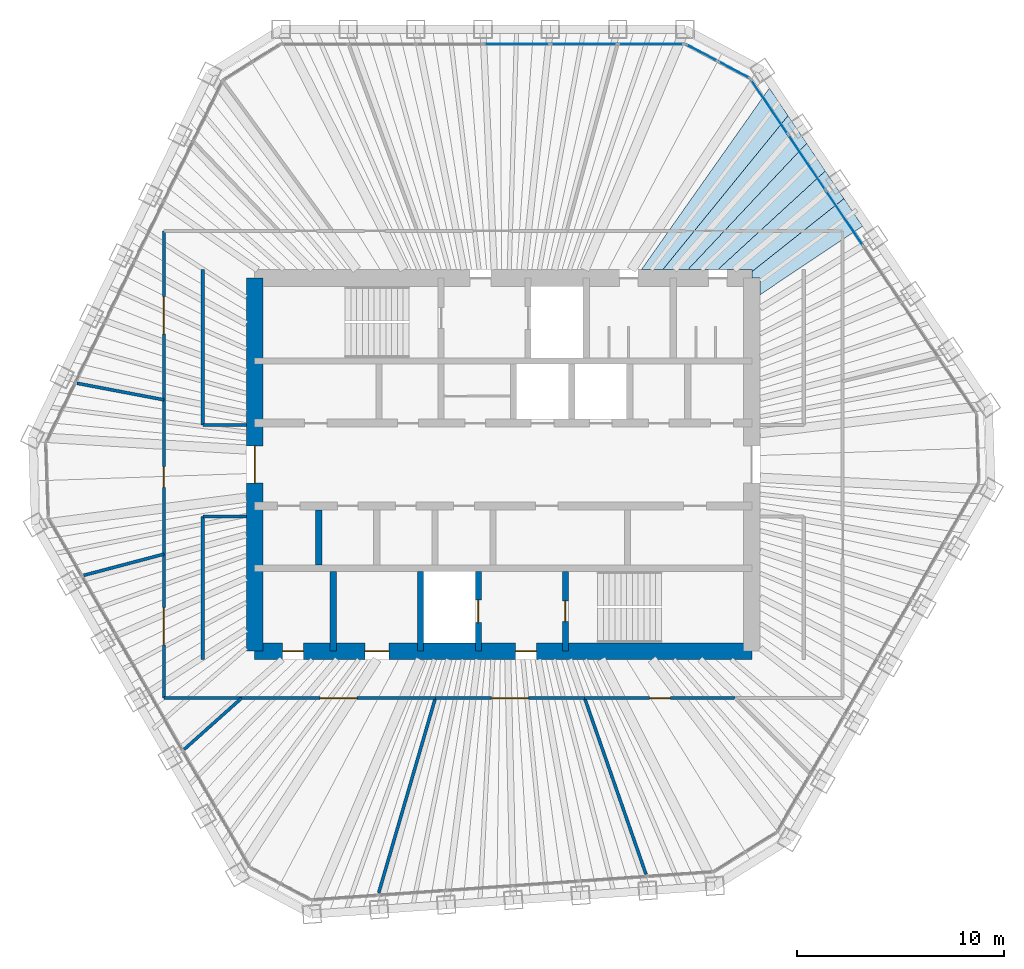
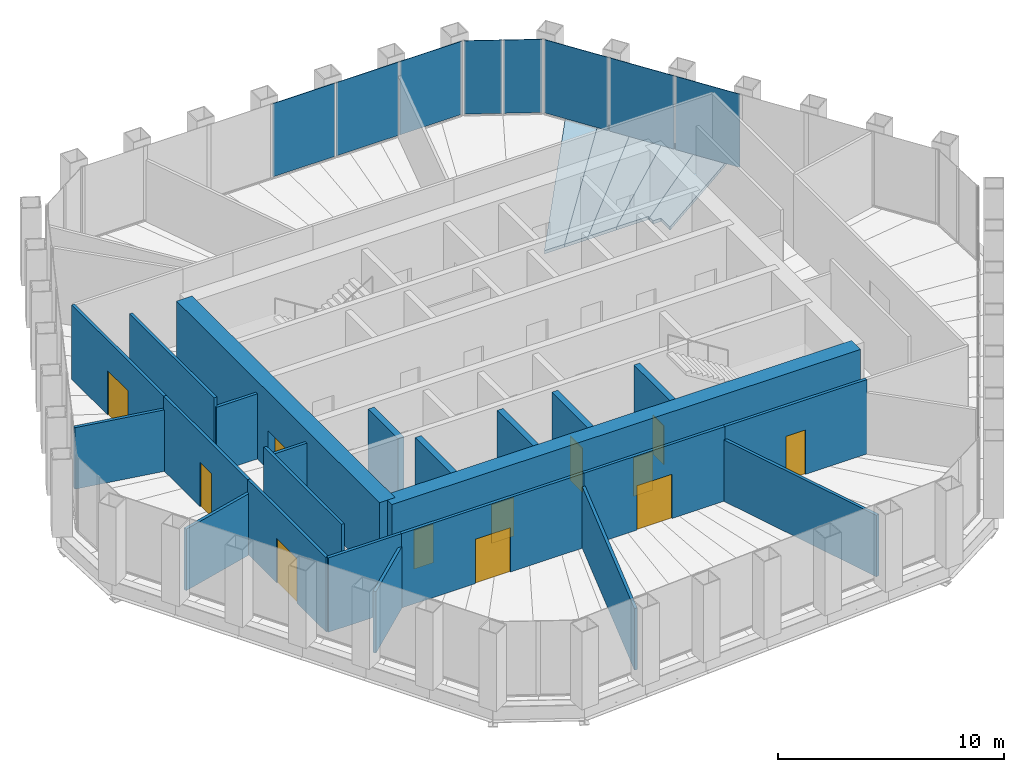
# One storey, part 11 of 14: 23 walls, 12 doors, 8 plates, 5 slabs, 12 openings, 3 elements without a shape of their own.
"""IFC4 building model written with IfcOpenShell, lengths in metres."""

from ifc_helpers import new_model, si_unit, direction, frame, frame_2d, origin, origin_2d, place, context, subcontext, project, spatial, polyline, rectangle, outline, extrude, material, layer, layer_set, type_object, element, fill, aggregate, save


model = new_model("IFC4")

# Units and contexts
model_context = context("Model", 3, precision=1e-05, world=origin(), true_north=direction((0.0, 1.0)))
body_context = subcontext(model_context, "Body", "Model", "MODEL_VIEW")
ifc_project = project(units=[si_unit("LENGTHUNIT", "METRE"), si_unit("AREAUNIT", "SQUARE_METRE"), si_unit("VOLUMEUNIT", "CUBIC_METRE"), si_unit("PLANEANGLEUNIT", "RADIAN"), si_unit("MASSUNIT", "GRAM", prefix="KILO")], contexts=[model_context])

# Site, building, storey
site_placement = place(None, origin())
site = spatial("IfcSite", under=ifc_project, at=site_placement, CompositionType="ELEMENT")
building_placement = place(site_placement, origin())
building = spatial("IfcBuilding", under=site, at=building_placement, Name="Qingtian Harvest Tower", CompositionType="ELEMENT")
storey_placement = place(building_placement, frame((0.0, 0.0, 320.800048828125)))
storey = spatial("IfcBuildingStorey", under=building, at=storey_placement, Name="L71", CompositionType="ELEMENT", Elevation=320.800048828125)

# Slabs
ifc_material_1 = material(Name="Concrete fc' 35 MPa", Category="concrete")
ifc_layer_1 = layer(ifc_material_1, 0.169921875)
ifc_layer_set_1 = layer_set([ifc_layer_1], Name="Composite floor slab FS17 170")
slab_type = type_object("IfcSlabType", Name="Composite floor slab FS17 170", PredefinedType="FLOOR", material=ifc_layer_set_1)
slab_1_placement = place(storey_placement, frame((0.0, 0.0, -0.170166015625)))
element("IfcSlab", 1, at=slab_1_placement, inside=storey, type_object=slab_type, Name="Floor slab L71 panel D47", PredefinedType="FLOOR", context=body_context, shape_type="SweptSolid", body=[
    extrude(outline(polyline([(12.39990234375, 9.0), (12.0, 9.0), (12.0, 9.30908203125), (16.44140625, 12.830078125), (17.340576171875, 11.4970703125), (12.39990234375, 8.199462890625), (12.39990234375, 9.0)])), origin(), (0.0, 0.0, 1.0), 0.170166015625),
])
slab_2_placement = place(storey_placement, frame((0.0, 0.0, -0.170166015625)))
element("IfcSlab", 2, at=slab_2_placement, inside=storey, type_object=slab_type, Name="Floor slab L71 panel D48", PredefinedType="FLOOR", context=body_context, shape_type="SweptSolid", body=[
    extrude(outline(polyline([(12.0, 9.39990234375), (10.349853515625, 9.39990234375), (15.541259765625, 14.164794921875), (16.44140625, 12.830078125), (12.0, 9.30908203125), (12.0, 9.39990234375)])), origin(), (0.0, 0.0, 1.0), 0.170166015625),
])
slab_3_placement = place(storey_placement, frame((0.0, 0.0, -0.170166015625)))
element("IfcSlab", 3, at=slab_3_placement, inside=storey, type_object=slab_type, Name="Floor slab L71 panel D49", PredefinedType="FLOOR", context=body_context, shape_type="SweptSolid", body=[
    extrude(outline(polyline([(8.907958984375, 9.39990234375), (14.641357421875, 15.498779296875), (15.541259765625, 14.164794921875), (10.349853515625, 9.39990234375), (8.907958984375, 9.39990234375)])), origin(), (0.0, 0.0, 1.0), 0.170166015625),
])
slab_4_placement = place(storey_placement, frame((0.0, 0.0, -0.170166015625)))
element("IfcSlab", 4, at=slab_4_placement, inside=storey, type_object=slab_type, Name="Floor slab L71 panel D50", PredefinedType="FLOOR", context=body_context, shape_type="SweptSolid", body=[
    extrude(outline(polyline([(7.695556640625, 9.39990234375), (13.74169921875, 16.832763671875), (14.641357421875, 15.498779296875), (8.907958984375, 9.39990234375), (7.695556640625, 9.39990234375)])), origin(), (0.0, 0.0, 1.0), 0.170166015625),
])
slab_5_placement = place(storey_placement, frame((0.0, 0.0, -0.170166015625)))
element("IfcSlab", 5, at=slab_5_placement, inside=storey, type_object=slab_type, Name="Floor slab L71 panel D51", PredefinedType="FLOOR", context=body_context, shape_type="SweptSolid", body=[
    extrude(outline(polyline([(6.662109375, 9.39990234375), (12.841796875, 18.16650390625), (13.74169921875, 16.832763671875), (7.695556640625, 9.39990234375), (6.662109375, 9.39990234375)])), origin(), (0.0, 0.0, 1.0), 0.170166015625),
])

# Curtain wall, plates
ifc_material_2 = material(Name="Bronze-anodised aluminium curtain wall", Category="aluminium")
curtain_wall_type = type_object("IfcCurtainWallType", Name="Curtain wall CW5 upper office", PredefinedType="USERDEFINED", material=ifc_material_2)
curtain_wall_1_placement = place(storey_placement, origin())
curtain_wall_1 = element("IfcCurtainWall", 6, at=curtain_wall_1_placement, inside=storey, type_object=curtain_wall_type, Name="Curtain wall CW5 L71 N0-5", ObjectType="RECESSED CURTAIN WALL", PredefinedType="USERDEFINED")
ifc_material_3 = material(Name="Bronze-tinted laminated insulating glass", Category="glass")
ifc_layer_2 = layer(ifc_material_3, 0.030029296875)
ifc_layer_set_2 = layer_set([ifc_layer_2], Name="Glazed panel CWP tinted IGU")
plate_type = type_object("IfcPlateType", Name="Glazed panel CWP tinted IGU", PredefinedType="CURTAIN_PANEL", material=ifc_layer_set_2)
plate_1_placement = place(storey_placement, frame((0.645751953125, 20.300048828125, 0.06494140625), z_axis=(0.0, 0.0, 1.0), x_axis=(1.0, 0.0, 0.0)))
plate_1 = element("IfcPlate", 7, at=plate_1_placement, type_object=plate_type, Name="CW5 panel 4.1", PredefinedType="CURTAIN_PANEL", context=body_context, shape_type="SweptSolid", body=[
    extrude(rectangle(XDim=3.18310546875, YDim=0.030029296875, at=origin_2d()), origin(), (0.0, 0.0, 1.0), 3.965087890625),
])
plate_2_placement = place(storey_placement, frame((3.893798828125, 20.300048828125, 0.06494140625), z_axis=(0.0, 0.0, 1.0), x_axis=(1.0, 0.0, 0.0)))
plate_2 = element("IfcPlate", 8, at=plate_2_placement, type_object=plate_type, Name="CW5 panel 5.1", PredefinedType="CURTAIN_PANEL", context=body_context, shape_type="SweptSolid", body=[
    extrude(rectangle(XDim=3.18310546875, YDim=0.030029296875, at=origin_2d()), origin(), (0.0, 0.0, 1.0), 3.965087890625),
])
plate_3_placement = place(storey_placement, frame((7.125732421875, 20.300048828125, 0.06494140625), z_axis=(0.0, 0.0, 1.0), x_axis=(1.0, 0.0, 0.0)))
plate_3 = element("IfcPlate", 9, at=plate_3_placement, type_object=plate_type, Name="CW5 panel 6.1", PredefinedType="CURTAIN_PANEL", context=body_context, shape_type="SweptSolid", body=[
    extrude(rectangle(XDim=3.150634765625, YDim=0.030029296875, at=origin_2d()), origin(), (0.0, 0.0, 1.0), 3.965087890625),
])
aggregate(curtain_wall_1, [plate_1, plate_2, plate_3])

curtain_wall_2_placement = place(storey_placement, origin())
curtain_wall_2 = element("IfcCurtainWall", 10, at=curtain_wall_2_placement, inside=storey, type_object=curtain_wall_type, Name="Curtain wall CW5 L71 NC", ObjectType="RECESSED CURTAIN WALL", PredefinedType="USERDEFINED")
plate_4_placement = place(storey_placement, frame((9.57080078125, 19.8720703125, 0.06494140625), z_axis=(0.0, 0.0, 1.0), x_axis=(0.882947592859, -0.469471562786, 0.0)))
plate_4 = element("IfcPlate", 11, at=plate_4_placement, type_object=plate_type, Name="CW5 panel 1.1", PredefinedType="CURTAIN_PANEL", context=body_context, shape_type="SweptSolid", body=[
    extrude(rectangle(XDim=1.69287109375, YDim=0.030029296875, at=origin_2d()), origin(), (0.0, 0.0, 1.0), 3.965087890625),
])
plate_5_placement = place(storey_placement, frame((11.122802734375, 19.046875, 0.06494140625), z_axis=(0.0, 0.0, 1.0), x_axis=(0.882947592859, -0.469471562786, 0.0)))
plate_5 = element("IfcPlate", 12, at=plate_5_placement, type_object=plate_type, Name="CW5 panel 2.1", PredefinedType="CURTAIN_PANEL", context=body_context, shape_type="SweptSolid", body=[
    extrude(rectangle(XDim=1.69287109375, YDim=0.030029296875, at=origin_2d()), origin(), (0.0, 0.0, 1.0), 3.965087890625),
])
aggregate(curtain_wall_2, [plate_4, plate_5])

curtain_wall_3_placement = place(storey_placement, origin())
curtain_wall_3 = element("IfcCurtainWall", 13, at=curtain_wall_3_placement, inside=storey, type_object=curtain_wall_type, Name="Curtain wall CW5 L71 NE0-5", ObjectType="RECESSED CURTAIN WALL", PredefinedType="USERDEFINED")
plate_6_placement = place(storey_placement, frame((12.844970703125, 17.259033203125, 0.06494140625), z_axis=(0.0, 0.0, 1.0), x_axis=(0.559192903471, -0.829037572555, 0.0)))
plate_6 = element("IfcPlate", 14, at=plate_6_placement, type_object=plate_type, Name="CW5 panel 1.1", PredefinedType="CURTAIN_PANEL", context=body_context, shape_type="SweptSolid", body=[
    extrude(rectangle(XDim=3.150634765625, YDim=0.030029296875, at=origin_2d()), origin(), (0.0, 0.0, 1.0), 3.965087890625),
])
plate_7_placement = place(storey_placement, frame((14.652099609375, 14.579833984375, 0.06494140625), z_axis=(0.0, 0.0, 1.0), x_axis=(0.559192903471, -0.829037572555, 0.0)))
plate_7 = element("IfcPlate", 15, at=plate_7_placement, type_object=plate_type, Name="CW5 panel 2.1", PredefinedType="CURTAIN_PANEL", context=body_context, shape_type="SweptSolid", body=[
    extrude(rectangle(XDim=3.18310546875, YDim=0.030029296875, at=origin_2d()), origin(), (0.0, 0.0, 1.0), 3.965087890625),
])
plate_8_placement = place(storey_placement, frame((16.46826171875, 11.886962890625, 0.06494140625), z_axis=(0.0, 0.0, 1.0), x_axis=(0.559192903471, -0.829037572555, 0.0)))
plate_8 = element("IfcPlate", 16, at=plate_8_placement, type_object=plate_type, Name="CW5 panel 3.1", PredefinedType="CURTAIN_PANEL", context=body_context, shape_type="SweptSolid", body=[
    extrude(rectangle(XDim=3.18310546875, YDim=0.030029296875, at=origin_2d()), origin(), (0.0, 0.0, 1.0), 3.965087890625),
])
aggregate(curtain_wall_3, [plate_6, plate_7, plate_8])

# Walls
ifc_material_4 = material(Name="Precast concrete shaft panel", Category="concrete")
ifc_layer_3 = layer(ifc_material_4, 0.300048828125)
ifc_layer_set_3 = layer_set([ifc_layer_3], Name="Core shaft partition SW1 300")
wall_type_1 = type_object("IfcWallType", Name="Core shaft partition SW1 300", PredefinedType="PARTITIONING", material=ifc_layer_set_3)
wall_1_placement = place(storey_placement, frame((-8.89990234375, -4.85009765625, 0.0), z_axis=(0.0, 0.0, 1.0), x_axis=(0.0, 1.0, 0.0)))
element("IfcWall", 17, at=wall_1_placement, inside=storey, type_object=wall_type_1, Name="Core shaft partition XB1 L71", PredefinedType="PARTITIONING", context=body_context, shape_type="SweptSolid", body=[
    extrude(rectangle(XDim=2.650146484375, YDim=0.300048828125, at=frame_2d((1.3251953125, 0.0))), origin(), (0.0, 0.0, 1.0), 3.97998046875),
])
for number, where, z_axis, x_axis, name in (
    (18, (-8.199951171875, -9.0, 0.0), (0.0, 0.0, 1.0), (0.0, 1.0, 0.0), "Core shaft partition XS1 L71"),
    (19, (-4.0, -9.0, 0.0), (0.0, 0.0, 1.0), (0.0, 1.0, 0.0), "Core shaft partition XS2 L71"),
):
    element("IfcWall", number, at=place(storey_placement, frame(where, z_axis=z_axis, x_axis=x_axis)), inside=storey, type_object=wall_type_1, Name=name, PredefinedType="PARTITIONING", context=body_context, shape_type="SweptSolid", body=[
        extrude(rectangle(XDim=3.85009765625, YDim=0.300048828125, at=frame_2d((1.925048828125, 0.0))), origin(), (0.0, 0.0, 1.0), 3.97998046875),
    ])

# Wall, opening, door
wall_2_placement = place(storey_placement, frame((-1.199951171875, -9.0, 0.0), z_axis=(0.0, 0.0, 1.0), x_axis=(0.0, 1.0, 0.0)))
wall_2 = element("IfcWall", 20, at=wall_2_placement, inside=storey, type_object=wall_type_1, Name="Core shaft partition XS3 L71", PredefinedType="PARTITIONING", context=body_context, shape_type="SweptSolid", body=[
    extrude(rectangle(XDim=3.85009765625, YDim=0.300048828125, at=frame_2d((1.925048828125, 0.0))), origin(), (0.0, 0.0, 1.0), 3.97998046875),
])
opening_1_placement = place(wall_2_placement, frame((1.375, 0.0, 0.0)))
opening_1 = element("IfcOpeningElement", 21, at=opening_1_placement, cuts=wall_2, Name="Opening LD1", PredefinedType="OPENING", context=body_context, shape_type="SweptSolid", body=[
    extrude(rectangle(XDim=1.10009765625, YDim=2.39990234375, at=frame_2d((0.550048828125, 1.199951171875))), frame((0.0, 0.159912109375, 0.0), z_axis=(0.0, -1.0, 0.0), x_axis=(1.0, 0.0, 0.0)), (0.0, 0.0, 1.0), 0.320068359375),
])
ifc_material_5 = material(Name="Stainless steel lift landing door", Category="steel")
door_type_1 = type_object("IfcDoorType", Name="Lift landing door LD1 1 HR", OperationType="DOUBLE_DOOR_SLIDING", PredefinedType="DOOR", material=ifc_material_5)
door_1_placement = place(opening_1_placement, origin())
door_1 = element("IfcDoor", 22, at=door_1_placement, inside=storey, type_object=door_type_1, Name="FL2 landing door L71", OperationType="DOUBLE_DOOR_SLIDING", OverallHeight=2.39990234375, OverallWidth=1.10009765625, PredefinedType="DOOR", context=body_context, shape_type="SweptSolid", body=[
    extrude(rectangle(XDim=1.10009765625, YDim=2.39990234375, at=frame_2d((0.550048828125, 1.199951171875))), frame((0.0, 0.02490234375, 0.0), z_axis=(0.0, -1.0, 0.0), x_axis=(1.0, 0.0, 0.0)), (0.0, 0.0, 1.0), 0.050048828125),
])
fill(opening_1, door_1)

wall_3_placement = place(storey_placement, frame((3.0, -9.0, 0.0), z_axis=(0.0, 0.0, 1.0), x_axis=(0.0, 1.0, 0.0)))
wall_3 = element("IfcWall", 23, at=wall_3_placement, inside=storey, type_object=wall_type_1, Name="Core shaft partition XS4 L71", PredefinedType="PARTITIONING", context=body_context, shape_type="SweptSolid", body=[
    extrude(rectangle(XDim=3.85009765625, YDim=0.300048828125, at=frame_2d((1.925048828125, 0.0))), origin(), (0.0, 0.0, 1.0), 3.97998046875),
])
opening_2_placement = place(wall_3_placement, frame((1.425048828125, 0.0, 0.0)))
opening_2 = element("IfcOpeningElement", 24, at=opening_2_placement, cuts=wall_3, Name="Opening FD1", PredefinedType="OPENING", context=body_context, shape_type="SweptSolid", body=[
    extrude(rectangle(XDim=1.0, YDim=2.10009765625, at=frame_2d((0.5, 1.050048828125))), frame((0.0, 0.159912109375, 0.0), z_axis=(0.0, -1.0, 0.0), x_axis=(1.0, 0.0, 0.0)), (0.0, 0.0, 1.0), 0.320068359375),
])
ifc_material_6 = material(Name="Steel-faced door leaf", Category="steel")
door_type_2 = type_object("IfcDoorType", Name="Fire door FD1 single 1 HR", OperationType="SINGLE_SWING_LEFT", PredefinedType="DOOR", material=ifc_material_6)
door_2_placement = place(opening_2_placement, origin())
door_2 = element("IfcDoor", 25, at=door_2_placement, inside=storey, type_object=door_type_2, Name="S2 door L71", OperationType="SINGLE_SWING_LEFT", OverallHeight=2.10009765625, OverallWidth=1.0, PredefinedType="DOOR", context=body_context, shape_type="SweptSolid", body=[
    extrude(rectangle(XDim=1.0, YDim=2.10009765625, at=frame_2d((0.5, 1.050048828125))), frame((0.0, 0.02490234375, 0.0), z_axis=(0.0, -1.0, 0.0), x_axis=(1.0, 0.0, 0.0)), (0.0, 0.0, 1.0), 0.050048828125),
])
fill(opening_2, door_2)

# Wall, openings, doors
ifc_material_7 = material(Name="Concrete fc' 70 MPa", Category="concrete")
ifc_layer_4 = layer(ifc_material_7, 0.800048828125)
ifc_layer_set_4 = layer_set([ifc_layer_4], Name="Core wall RC4 800")
wall_type_2 = type_object("IfcWallType", Name="Core wall RC4 800", PredefinedType="SHEAR", material=ifc_layer_set_4)
wall_4_placement = place(storey_placement, frame((-12.0, -9.0, 0.0), z_axis=(0.0, 0.0, 1.0), x_axis=(1.0, 0.0, 0.0)))
wall_4 = element("IfcWall", 26, at=wall_4_placement, inside=storey, type_object=wall_type_2, Name="Core wall CS L71", PredefinedType="SHEAR", context=body_context, shape_type="SweptSolid", body=[
    extrude(rectangle(XDim=24.0, YDim=0.800048828125, at=frame_2d((12.0, 0.0))), origin(), (0.0, 0.0, 1.0), 4.199951171875),
])
opening_3_placement = place(wall_4_placement, frame((1.35009765625, 0.0, 0.0)))
opening_3 = element("IfcOpeningElement", 27, at=opening_3_placement, cuts=wall_4, Name="Opening FD1", PredefinedType="OPENING", context=body_context, shape_type="SweptSolid", body=[
    extrude(rectangle(XDim=1.0, YDim=2.10009765625, at=frame_2d((0.5, 1.050048828125))), frame((0.0, 0.409912109375, 0.0), z_axis=(0.0, -1.0, 0.0), x_axis=(1.0, 0.0, 0.0)), (0.0, 0.0, 1.0), 0.820068359375),
])
opening_4_placement = place(wall_4_placement, frame((5.324951171875, 0.0, 0.0)))
opening_4 = element("IfcOpeningElement", 28, at=opening_4_placement, cuts=wall_4, Name="Opening AD1", PredefinedType="OPENING", context=body_context, shape_type="SweptSolid", body=[
    extrude(rectangle(XDim=1.14990234375, YDim=2.10009765625, at=frame_2d((0.574951171875, 1.050048828125))), frame((0.0, 0.409912109375, 0.0), z_axis=(0.0, -1.0, 0.0), x_axis=(1.0, 0.0, 0.0)), (0.0, 0.0, 1.0), 0.820068359375),
])
opening_5_placement = place(wall_4_placement, frame((12.60009765625, 0.0, 0.0)))
opening_5 = element("IfcOpeningElement", 29, at=opening_5_placement, cuts=wall_4, Name="Opening FD1", PredefinedType="OPENING", context=body_context, shape_type="SweptSolid", body=[
    extrude(rectangle(XDim=1.0, YDim=2.10009765625, at=frame_2d((0.5, 1.050048828125))), frame((0.0, 0.409912109375, 0.0), z_axis=(0.0, -1.0, 0.0), x_axis=(1.0, 0.0, 0.0)), (0.0, 0.0, 1.0), 0.820068359375),
])
ifc_material_8 = material(Name="Laminated timber door leaf", Category="wood")
door_type_3 = type_object("IfcDoorType", Name="Accessible WC door AD1 single", OperationType="SINGLE_SWING_LEFT", PredefinedType="DOOR", material=ifc_material_8)
door_3_placement = place(opening_4_placement, origin())
door_3 = element("IfcDoor", 30, at=door_3_placement, inside=storey, type_object=door_type_3, Name="AWC door L71", OperationType="SINGLE_SWING_RIGHT", OverallHeight=2.10009765625, OverallWidth=1.14990234375, PredefinedType="DOOR", context=body_context, shape_type="SweptSolid", body=[
    extrude(rectangle(XDim=1.14990234375, YDim=2.10009765625, at=frame_2d((0.574951171875, 1.050048828125))), frame((0.0, 0.02490234375, 0.0), z_axis=(0.0, -1.0, 0.0), x_axis=(1.0, 0.0, 0.0)), (0.0, 0.0, 1.0), 0.050048828125),
])
fill(opening_4, door_3)
door_4_placement = place(opening_3_placement, origin())
door_4 = element("IfcDoor", 31, at=door_4_placement, inside=storey, type_object=door_type_2, Name="CLN door L71", OperationType="SINGLE_SWING_LEFT", OverallHeight=2.10009765625, OverallWidth=1.0, PredefinedType="DOOR", context=body_context, shape_type="SweptSolid", body=[
    extrude(rectangle(XDim=1.0, YDim=2.10009765625, at=frame_2d((0.5, 1.050048828125))), frame((0.0, 0.02490234375, 0.0), z_axis=(0.0, -1.0, 0.0), x_axis=(1.0, 0.0, 0.0)), (0.0, 0.0, 1.0), 0.050048828125),
])
fill(opening_3, door_4)
door_5_placement = place(opening_5_placement, origin())
door_5 = element("IfcDoor", 32, at=door_5_placement, inside=storey, type_object=door_type_2, Name="V2 door L71", OperationType="SINGLE_SWING_RIGHT", OverallHeight=2.10009765625, OverallWidth=1.0, PredefinedType="DOOR", context=body_context, shape_type="SweptSolid", body=[
    extrude(rectangle(XDim=1.0, YDim=2.10009765625, at=frame_2d((0.5, 1.050048828125))), frame((0.0, 0.02490234375, 0.0), z_axis=(0.0, -1.0, 0.0), x_axis=(1.0, 0.0, 0.0)), (0.0, 0.0, 1.0), 0.050048828125),
])
fill(opening_5, door_5)

# Wall, opening, door
wall_5_placement = place(storey_placement, frame((-12.0, -9.0, 0.0), z_axis=(0.0, 0.0, 1.0), x_axis=(0.0, 1.0, 0.0)))
wall_5 = element("IfcWall", 33, at=wall_5_placement, inside=storey, type_object=wall_type_2, Name="Core wall CW L71", PredefinedType="SHEAR", context=body_context, shape_type="SweptSolid", body=[
    extrude(rectangle(XDim=18.0, YDim=0.800048828125, at=frame_2d((9.0, 0.0))), origin(), (0.0, 0.0, 1.0), 4.199951171875),
])
opening_6_placement = place(wall_5_placement, frame((8.10009765625, 0.0, 0.0)))
opening_6 = element("IfcOpeningElement", 34, at=opening_6_placement, cuts=wall_5, Name="Opening FD2", PredefinedType="OPENING", context=body_context, shape_type="SweptSolid", body=[
    extrude(rectangle(XDim=1.800048828125, YDim=2.10009765625, at=frame_2d((0.89990234375, 1.050048828125))), frame((0.0, 0.409912109375, 0.0), z_axis=(0.0, -1.0, 0.0), x_axis=(1.0, 0.0, 0.0)), (0.0, 0.0, 1.0), 0.820068359375),
])
ifc_material_9 = material(Name="Steel-faced door leaf", Category="steel")
door_type_4 = type_object("IfcDoorType", Name="Fire door FD2 double 1 HR", OperationType="DOUBLE_DOOR_DOUBLE_SWING", PredefinedType="DOOR", material=ifc_material_9)
door_6_placement = place(opening_6_placement, origin())
door_6 = element("IfcDoor", 35, at=door_6_placement, inside=storey, type_object=door_type_4, Name="LOBBY-W door L71", OperationType="DOUBLE_DOOR_DOUBLE_SWING", OverallHeight=2.10009765625, OverallWidth=1.800048828125, PredefinedType="DOOR", context=body_context, shape_type="SweptSolid", body=[
    extrude(rectangle(XDim=1.800048828125, YDim=2.10009765625, at=frame_2d((0.89990234375, 1.050048828125))), frame((0.0, 0.02490234375, 0.0), z_axis=(0.0, -1.0, 0.0), x_axis=(1.0, 0.0, 0.0)), (0.0, 0.0, 1.0), 0.050048828125),
])
fill(opening_6, door_6)

ifc_material_10 = material(Name="Gypsum board on steel studs", Category="steel")
ifc_layer_5 = layer(ifc_material_10, 0.14990234375)
ifc_layer_set_5 = layer_set([ifc_layer_5], Name="Partition PT1 150")
wall_type_3 = type_object("IfcWallType", Name="Partition PT1 150", PredefinedType="PARTITIONING", material=ifc_layer_set_5)
wall_6_placement = place(storey_placement, frame((11.194091796875, -11.27490234375, 0.0), z_axis=(0.0, 0.0, 1.0), x_axis=(-1.0, 0.0, 0.0)))
wall_6 = element("IfcWall", 36, at=wall_6_placement, inside=storey, type_object=wall_type_3, Name="Servery wall L71", PredefinedType="PARTITIONING", context=body_context, shape_type="SweptSolid", body=[
    extrude(rectangle(XDim=7.266357421875, YDim=0.14990234375, at=frame_2d((3.63330078125, 0.0))), origin(), (0.0, 0.0, 1.0), 4.030029296875),
])
opening_7_placement = place(wall_6_placement, frame((3.133056640625, 0.0, 0.0)))
opening_7 = element("IfcOpeningElement", 37, at=opening_7_placement, cuts=wall_6, Name="Opening D2", PredefinedType="OPENING", context=body_context, shape_type="SweptSolid", body=[
    extrude(rectangle(XDim=1.0, YDim=2.39990234375, at=frame_2d((0.5, 1.199951171875))), frame((0.0, 0.0849609375, 0.0), z_axis=(0.0, -1.0, 0.0), x_axis=(1.0, 0.0, 0.0)), (0.0, 0.0, 1.0), 0.169921875),
])
ifc_material_11 = material(Name="Laminated timber door leaf", Category="wood")
door_type_5 = type_object("IfcDoorType", Name="Room door D2 single", OperationType="SINGLE_SWING_LEFT", PredefinedType="DOOR", material=ifc_material_11)
door_7_placement = place(opening_7_placement, origin())
door_7 = element("IfcDoor", 38, at=door_7_placement, inside=storey, type_object=door_type_5, Name="Servery door L71", OperationType="SINGLE_SWING_LEFT", OverallHeight=2.39990234375, OverallWidth=1.0, PredefinedType="DOOR", context=body_context, shape_type="SweptSolid", body=[
    extrude(rectangle(XDim=1.0, YDim=2.39990234375, at=frame_2d((0.5, 1.199951171875))), frame((0.0, 0.02490234375, 0.0), z_axis=(0.0, -1.0, 0.0), x_axis=(1.0, 0.0, 0.0)), (0.0, 0.0, 1.0), 0.050048828125),
])
fill(opening_7, door_7)

# Wall
wall_7_placement = place(storey_placement, frame((6.8876953125, -19.771240234375, 0.0), z_axis=(0.0, 0.0, 1.0), x_axis=(-0.328987878601, 0.944334144111, 0.0)))
element("IfcWall", 39, at=wall_7_placement, inside=storey, type_object=wall_type_3, Name="Private dining room wall L71", PredefinedType="PARTITIONING", context=body_context, shape_type="SweptSolid", body=[
    extrude(rectangle(XDim=8.9970703125, YDim=0.14990234375, at=frame_2d((4.49853515625, 0.0))), origin(), (0.0, 0.0, 1.0), 3.329833984375),
])

# Wall, opening, door
wall_8_placement = place(storey_placement, frame((3.927734375, -11.27490234375, 0.0), z_axis=(0.0, 0.0, 1.0), x_axis=(-1.0, 0.0, 0.0)))
wall_8 = element("IfcWall", 40, at=wall_8_placement, inside=storey, type_object=wall_type_3, Name="Private dining room wall L71", PredefinedType="PARTITIONING", context=body_context, shape_type="SweptSolid", body=[
    extrude(rectangle(XDim=7.206298828125, YDim=0.14990234375, at=frame_2d((3.60302734375, 0.0))), origin(), (0.0, 0.0, 1.0), 4.030029296875),
])
opening_8_placement = place(wall_8_placement, frame((2.703125, 0.0, 0.0)))
opening_8 = element("IfcOpeningElement", 41, at=opening_8_placement, cuts=wall_8, Name="Opening D3", PredefinedType="OPENING", context=body_context, shape_type="SweptSolid", body=[
    extrude(rectangle(XDim=1.800048828125, YDim=2.39990234375, at=frame_2d((0.89990234375, 1.199951171875))), frame((0.0, 0.0849609375, 0.0), z_axis=(0.0, -1.0, 0.0), x_axis=(1.0, 0.0, 0.0)), (0.0, 0.0, 1.0), 0.169921875),
])
ifc_material_12 = material(Name="Laminated timber door leaf", Category="wood")
door_type_6 = type_object("IfcDoorType", Name="Room door D3 double", OperationType="DOUBLE_DOOR_DOUBLE_SWING", PredefinedType="DOOR", material=ifc_material_12)
door_8_placement = place(opening_8_placement, origin())
door_8 = element("IfcDoor", 42, at=door_8_placement, inside=storey, type_object=door_type_6, Name="Private dining room door L71", OperationType="DOUBLE_DOOR_DOUBLE_SWING", OverallHeight=2.39990234375, OverallWidth=1.800048828125, PredefinedType="DOOR", context=body_context, shape_type="SweptSolid", body=[
    extrude(rectangle(XDim=1.800048828125, YDim=2.39990234375, at=frame_2d((0.89990234375, 1.199951171875))), frame((0.0, 0.02490234375, 0.0), z_axis=(0.0, -1.0, 0.0), x_axis=(1.0, 0.0, 0.0)), (0.0, 0.0, 1.0), 0.050048828125),
])
fill(opening_8, door_8)

# Wall
wall_9_placement = place(storey_placement, frame((-6.011962890625, -20.67578125, 0.0), z_axis=(0.0, 0.0, 1.0), x_axis=(0.279197441451, 0.960233715658, 0.0)))
element("IfcWall", 43, at=wall_9_placement, inside=storey, type_object=wall_type_3, Name="Wine room wall L71", PredefinedType="PARTITIONING", context=body_context, shape_type="SweptSolid", body=[
    extrude(rectangle(XDim=9.790283203125, YDim=0.14990234375, at=frame_2d((4.89501953125, 0.0))), origin(), (0.0, 0.0, 1.0), 3.329833984375),
])

# Wall, opening, door
wall_10_placement = place(storey_placement, frame((-3.278564453125, -11.27490234375, 0.0), z_axis=(0.0, 0.0, 1.0), x_axis=(-1.0, 0.0, 0.0)))
wall_10 = element("IfcWall", 44, at=wall_10_placement, inside=storey, type_object=wall_type_3, Name="Wine room wall L71", PredefinedType="PARTITIONING", context=body_context, shape_type="SweptSolid", body=[
    extrude(rectangle(XDim=9.349365234375, YDim=0.14990234375, at=frame_2d((4.6748046875, 0.0))), origin(), (0.0, 0.0, 1.0), 4.030029296875),
])
opening_9_placement = place(wall_10_placement, frame((3.774658203125, 0.0, 0.0)))
opening_9 = element("IfcOpeningElement", 45, at=opening_9_placement, cuts=wall_10, Name="Opening D3", PredefinedType="OPENING", context=body_context, shape_type="SweptSolid", body=[
    extrude(rectangle(XDim=1.800048828125, YDim=2.39990234375, at=frame_2d((0.89990234375, 1.199951171875))), frame((0.0, 0.0849609375, 0.0), z_axis=(0.0, -1.0, 0.0), x_axis=(1.0, 0.0, 0.0)), (0.0, 0.0, 1.0), 0.169921875),
])
door_9_placement = place(opening_9_placement, origin())
door_9 = element("IfcDoor", 46, at=door_9_placement, inside=storey, type_object=door_type_6, Name="Wine room door L71", OperationType="DOUBLE_DOOR_DOUBLE_SWING", OverallHeight=2.39990234375, OverallWidth=1.800048828125, PredefinedType="DOOR", context=body_context, shape_type="SweptSolid", body=[
    extrude(rectangle(XDim=1.800048828125, YDim=2.39990234375, at=frame_2d((0.89990234375, 1.199951171875))), frame((0.0, 0.02490234375, 0.0), z_axis=(0.0, -1.0, 0.0), x_axis=(1.0, 0.0, 0.0)), (0.0, 0.0, 1.0), 0.050048828125),
])
fill(opening_9, door_9)

# Walls
wall_11_placement = place(storey_placement, frame((-15.392578125, -13.743408203125, 0.0), z_axis=(0.0, 0.0, 1.0), x_axis=(0.745928311453, 0.666026241355, 0.0)))
element("IfcWall", 47, at=wall_11_placement, inside=storey, type_object=wall_type_3, Name="Meeting room wall L71", PredefinedType="PARTITIONING", context=body_context, shape_type="SweptSolid", body=[
    extrude(rectangle(XDim=3.706298828125, YDim=0.14990234375, at=frame_2d((1.85302734375, 0.0))), origin(), (0.0, 0.0, 1.0), 3.329833984375),
])
wall_12_placement = place(storey_placement, frame((-12.6279296875, -11.27490234375, 0.0), z_axis=(0.0, 0.0, 1.0), x_axis=(-1.0, 0.0, 0.0)))
element("IfcWall", 48, at=wall_12_placement, inside=storey, type_object=wall_type_3, Name="Meeting room wall L71", PredefinedType="PARTITIONING", context=body_context, shape_type="SweptSolid", body=[
    extrude(rectangle(XDim=3.7470703125, YDim=0.14990234375, at=frame_2d((1.87353515625, 0.0))), origin(), (0.0, 0.0, 1.0), 4.030029296875),
])

# Wall, opening, door
wall_13_placement = place(storey_placement, frame((-16.375, -11.27490234375, 0.0), z_axis=(0.0, 0.0, 1.0), x_axis=(0.0, 1.0, 0.0)))
wall_13 = element("IfcWall", 49, at=wall_13_placement, inside=storey, type_object=wall_type_3, Name="Meeting room wall L71", PredefinedType="PARTITIONING", context=body_context, shape_type="SweptSolid", body=[
    extrude(rectangle(XDim=6.950439453125, YDim=0.14990234375, at=frame_2d((3.47509765625, 0.0))), origin(), (0.0, 0.0, 1.0), 4.030029296875),
])
opening_10_placement = place(wall_13_placement, frame((2.5751953125, 0.0, 0.0)))
opening_10 = element("IfcOpeningElement", 50, at=opening_10_placement, cuts=wall_13, Name="Opening D3", PredefinedType="OPENING", context=body_context, shape_type="SweptSolid", body=[
    extrude(rectangle(XDim=1.800048828125, YDim=2.39990234375, at=frame_2d((0.89990234375, 1.199951171875))), frame((0.0, 0.0849609375, 0.0), z_axis=(0.0, -1.0, 0.0), x_axis=(1.0, 0.0, 0.0)), (0.0, 0.0, 1.0), 0.169921875),
])
door_10_placement = place(opening_10_placement, origin())
door_10 = element("IfcDoor", 51, at=door_10_placement, inside=storey, type_object=door_type_6, Name="Meeting room door L71", OperationType="DOUBLE_DOOR_DOUBLE_SWING", OverallHeight=2.39990234375, OverallWidth=1.800048828125, PredefinedType="DOOR", context=body_context, shape_type="SweptSolid", body=[
    extrude(rectangle(XDim=1.800048828125, YDim=2.39990234375, at=frame_2d((0.89990234375, 1.199951171875))), frame((0.0, 0.02490234375, 0.0), z_axis=(0.0, -1.0, 0.0), x_axis=(1.0, 0.0, 0.0)), (0.0, 0.0, 1.0), 0.050048828125),
])
fill(opening_10, door_10)

# Wall
wall_14_placement = place(storey_placement, frame((-20.24267578125, -5.345947265625, 0.0), z_axis=(0.0, 0.0, 1.0), x_axis=(0.966848057487, 0.255352371703, 0.0)))
element("IfcWall", 52, at=wall_14_placement, inside=storey, type_object=wall_type_3, Name="Pantry wall L71", PredefinedType="PARTITIONING", context=body_context, shape_type="SweptSolid", body=[
    extrude(rectangle(XDim=4.000244140625, YDim=0.14990234375, at=frame_2d((2.0, 0.0))), origin(), (0.0, 0.0, 1.0), 3.329833984375),
])

# Wall, opening, door
wall_15_placement = place(storey_placement, frame((-16.375, -4.324462890625, 0.0), z_axis=(0.0, 0.0, 1.0), x_axis=(0.0, 1.0, 0.0)))
wall_15 = element("IfcWall", 53, at=wall_15_placement, inside=storey, type_object=wall_type_3, Name="Pantry wall L71", PredefinedType="PARTITIONING", context=body_context, shape_type="SweptSolid", body=[
    extrude(rectangle(XDim=7.4462890625, YDim=0.14990234375, at=frame_2d((3.72314453125, 0.0))), origin(), (0.0, 0.0, 1.0), 4.030029296875),
])
opening_11_placement = place(wall_15_placement, frame((3.22314453125, 0.0, 0.0)))
opening_11 = element("IfcOpeningElement", 54, at=opening_11_placement, cuts=wall_15, Name="Opening D2", PredefinedType="OPENING", context=body_context, shape_type="SweptSolid", body=[
    extrude(rectangle(XDim=1.0, YDim=2.39990234375, at=frame_2d((0.5, 1.199951171875))), frame((0.0, 0.0849609375, 0.0), z_axis=(0.0, -1.0, 0.0), x_axis=(1.0, 0.0, 0.0)), (0.0, 0.0, 1.0), 0.169921875),
])
door_11_placement = place(opening_11_placement, origin())
door_11 = element("IfcDoor", 55, at=door_11_placement, inside=storey, type_object=door_type_5, Name="Pantry door L71", OperationType="SINGLE_SWING_RIGHT", OverallHeight=2.39990234375, OverallWidth=1.0, PredefinedType="DOOR", context=body_context, shape_type="SweptSolid", body=[
    extrude(rectangle(XDim=1.0, YDim=2.39990234375, at=frame_2d((0.5, 1.199951171875))), frame((0.0, 0.02490234375, 0.0), z_axis=(0.0, -1.0, 0.0), x_axis=(1.0, 0.0, 0.0)), (0.0, 0.0, 1.0), 0.050048828125),
])
fill(opening_11, door_11)

# Wall
wall_16_placement = place(storey_placement, frame((-20.566162109375, 3.9208984375, 0.0), z_axis=(0.0, 0.0, 1.0), x_axis=(0.982305997167, -0.187283015595, 0.0)))
element("IfcWall", 56, at=wall_16_placement, inside=storey, type_object=wall_type_3, Name="Club library wall L71", PredefinedType="PARTITIONING", context=body_context, shape_type="SweptSolid", body=[
    extrude(rectangle(XDim=4.2666015625, YDim=0.14990234375, at=frame_2d((2.13330078125, 0.0))), origin(), (0.0, 0.0, 1.0), 3.329833984375),
])

# Wall, opening, door
wall_17_placement = place(storey_placement, frame((-16.375, 3.121826171875, 0.0), z_axis=(0.0, 0.0, 1.0), x_axis=(0.0, 1.0, 0.0)))
wall_17 = element("IfcWall", 57, at=wall_17_placement, inside=storey, type_object=wall_type_3, Name="Club library wall L71", PredefinedType="PARTITIONING", context=body_context, shape_type="SweptSolid", body=[
    extrude(rectangle(XDim=8.153076171875, YDim=0.14990234375, at=frame_2d((4.07666015625, 0.0))), origin(), (0.0, 0.0, 1.0), 4.030029296875),
])
opening_12_placement = place(wall_17_placement, frame((3.176513671875, 0.0, 0.0)))
opening_12 = element("IfcOpeningElement", 58, at=opening_12_placement, cuts=wall_17, Name="Opening D3", PredefinedType="OPENING", context=body_context, shape_type="SweptSolid", body=[
    extrude(rectangle(XDim=1.800048828125, YDim=2.39990234375, at=frame_2d((0.89990234375, 1.199951171875))), frame((0.0, 0.0849609375, 0.0), z_axis=(0.0, -1.0, 0.0), x_axis=(1.0, 0.0, 0.0)), (0.0, 0.0, 1.0), 0.169921875),
])
door_12_placement = place(opening_12_placement, origin())
door_12 = element("IfcDoor", 59, at=door_12_placement, inside=storey, type_object=door_type_6, Name="Club library door L71", OperationType="DOUBLE_DOOR_DOUBLE_SWING", OverallHeight=2.39990234375, OverallWidth=1.800048828125, PredefinedType="DOOR", context=body_context, shape_type="SweptSolid", body=[
    extrude(rectangle(XDim=1.800048828125, YDim=2.39990234375, at=frame_2d((0.89990234375, 1.199951171875))), frame((0.0, 0.02490234375, 0.0), z_axis=(0.0, -1.0, 0.0), x_axis=(1.0, 0.0, 0.0)), (0.0, 0.0, 1.0), 0.050048828125),
])
fill(opening_12, door_12)

# Walls
wall_18_placement = place(storey_placement, frame((-14.5, 1.89990234375, 0.0), z_axis=(0.0, 0.0, 1.0), x_axis=(0.0, 1.0, 0.0)))
element("IfcWall", 60, at=wall_18_placement, inside=storey, type_object=wall_type_3, Name="Breakout space wall L71", PredefinedType="PARTITIONING", context=body_context, shape_type="SweptSolid", body=[
    extrude(rectangle(XDim=7.5, YDim=0.14990234375, at=frame_2d((3.75, 0.0))), origin(), (0.0, 0.0, 1.0), 4.030029296875),
])
wall_19_placement = place(storey_placement, frame((-12.39990234375, 1.89990234375, 0.0), z_axis=(0.0, 0.0, 1.0), x_axis=(-1.0, 0.0, 0.0)))
element("IfcWall", 61, at=wall_19_placement, inside=storey, type_object=wall_type_3, Name="Breakout space wall L71", PredefinedType="PARTITIONING", context=body_context, shape_type="SweptSolid", body=[
    extrude(rectangle(XDim=2.10009765625, YDim=0.14990234375, at=frame_2d((1.050048828125, 0.0))), origin(), (0.0, 0.0, 1.0), 3.530029296875),
])
wall_20_placement = place(storey_placement, frame((-14.5, -9.39990234375, 0.0), z_axis=(0.0, 0.0, 1.0), x_axis=(0.0, 1.0, 0.0)))
element("IfcWall", 62, at=wall_20_placement, inside=storey, type_object=wall_type_3, Name="Reading area wall L71", PredefinedType="PARTITIONING", context=body_context, shape_type="SweptSolid", body=[
    extrude(rectangle(XDim=6.89990234375, YDim=0.14990234375, at=frame_2d((3.449951171875, 0.0))), origin(), (0.0, 0.0, 1.0), 4.030029296875),
])
wall_21_placement = place(storey_placement, frame((-12.39990234375, -2.5, 0.0), z_axis=(0.0, 0.0, 1.0), x_axis=(-1.0, 0.0, 0.0)))
element("IfcWall", 63, at=wall_21_placement, inside=storey, type_object=wall_type_3, Name="Reading area wall L71", PredefinedType="PARTITIONING", context=body_context, shape_type="SweptSolid", body=[
    extrude(rectangle(XDim=2.10009765625, YDim=0.14990234375, at=frame_2d((1.050048828125, 0.0))), origin(), (0.0, 0.0, 1.0), 3.530029296875),
])

save(model, "model.ifc")
